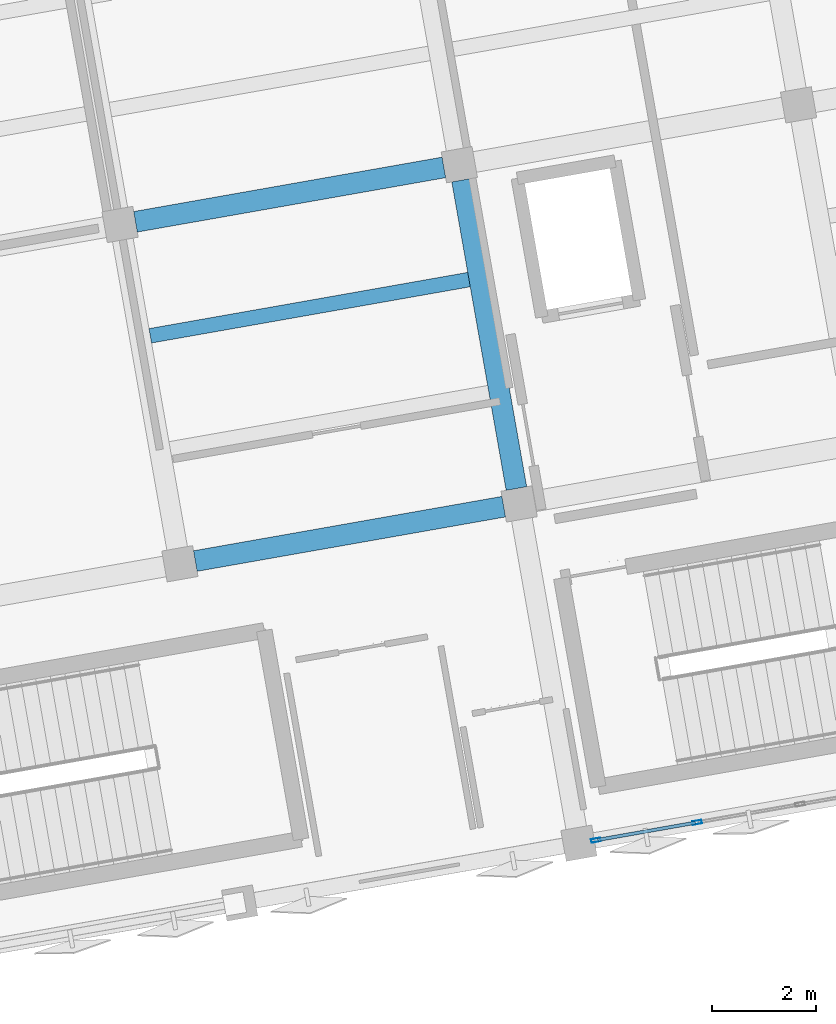
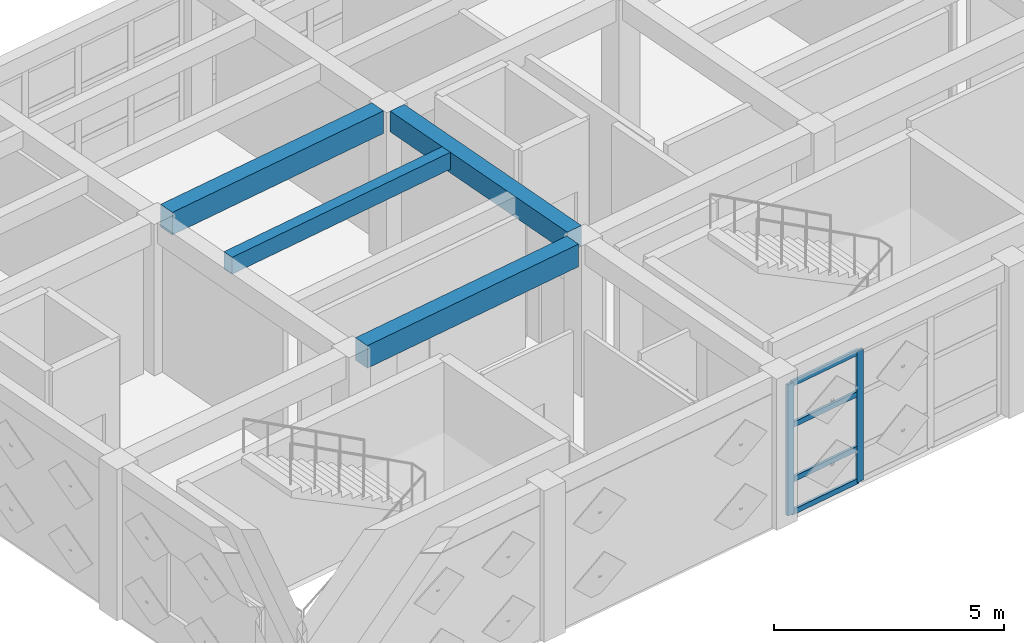
# One storey, part 3 of 18: 6 members, 4 beams, 1 element without a shape of its own.
"""IFC4 building model written with IfcOpenShell, lengths in metres."""

import ifcopenshell
import ifcopenshell.guid

model = None  # the IFC model being written
_history = None  # IfcOwnerHistory: only IFC2X3 demands one
_inside = {}  # id of a spatial element -> (the spatial element, [elements in it])
_under = {}  # id of a project, library or spatial element -> (it, [spatial elements below it])
_declared = {}  # id of a project -> (the project, [libraries it declares])
_typed = {}  # id of a type object -> (the type object, [elements of that type])
_made_of = {}  # id of a material, layer set ... -> (it, [elements and type objects made of it])


def new_model(schema):
    """Start an empty IFC model of exactly this schema.

    Asked for "IFC4X3", IfcOpenShell would pick the latest addendum, in which some entities
    have other attributes; the version numbers below select the first issue.
    IFC2X3 requires an IfcOwnerHistory on every rooted entity: one is made here for all.
    """
    global model, _history
    if schema == "IFC4X3":
        model = ifcopenshell.file(schema_version=(4, 3, 0, 0))
    else:
        model = ifcopenshell.file(schema=schema)
    _inside.clear()
    _under.clear()
    _declared.clear()
    _typed.clear()
    _made_of.clear()
    _history = None
    if model.schema == "IFC2X3":
        org = make("IfcOrganization", Name="unknown")
        user = make(
            "IfcPersonAndOrganization",
            ThePerson=make("IfcPerson", FamilyName="unknown"),
            TheOrganization=org,
        )
        app = make(
            "IfcApplication",
            ApplicationDeveloper=org,
            Version="unknown",
            ApplicationFullName="unknown",
            ApplicationIdentifier="unknown",
        )
        _history = make(
            "IfcOwnerHistory",
            OwningUser=user,
            OwningApplication=app,
            ChangeAction="ADDED",
            CreationDate=0,
        )
    return model


def make(cls, **values):
    """One entity of the class cls with the attributes given. An attribute that is None is left unset."""
    return model.create_entity(
        cls, **{name: value for name, value in values.items() if value is not None}
    )


def rooted(cls, **values):
    """An entity with a GlobalId (a new one), such as an element, a storey or a relation."""
    return make(cls, GlobalId=ifcopenshell.guid.new(), OwnerHistory=_history, **values)


def si_unit(unit_type, name, prefix=None):
    """IfcSIUnit, for example si_unit("LENGTHUNIT", "METRE", prefix="MILLI")."""
    return make("IfcSIUnit", UnitType=unit_type, Prefix=prefix, Name=name)


def assignment(units):
    """IfcUnitAssignment: the units of a project."""
    return None if units is None else make("IfcUnitAssignment", Units=units)


def point(xyz):
    """IfcCartesianPoint."""
    return None if xyz is None else make("IfcCartesianPoint", Coordinates=xyz)


def direction(xyz):
    """IfcDirection."""
    return None if xyz is None else make("IfcDirection", DirectionRatios=xyz)


def frame(location, z_axis=None, x_axis=None):
    """IfcAxis2Placement3D, a coordinate frame: its origin and axes. An axis left out is left unset."""
    return make(
        "IfcAxis2Placement3D",
        Location=point(location),
        Axis=direction(z_axis),
        RefDirection=direction(x_axis),
    )


def frame_2d(location, x_axis=None):
    """IfcAxis2Placement2D, a coordinate frame in the plane: its origin and x axis."""
    return make(
        "IfcAxis2Placement2D", Location=point(location), RefDirection=direction(x_axis)
    )


def origin():
    """The frame at (0, 0, 0) with its axes left unset."""
    return frame((0.0, 0.0, 0.0))


def origin_2d():
    """The frame at (0, 0) in the plane with its x axis left unset."""
    return frame_2d((0.0, 0.0))


def place(relative_to, where):
    """IfcLocalPlacement: puts the frame where relative to a parent placement (None: the world)."""
    return make(
        "IfcLocalPlacement", PlacementRelTo=relative_to, RelativePlacement=where
    )


def context(
    kind, dimensions, precision=None, world=None, true_north=None, identifier=None
):
    """IfcGeometricRepresentationContext, for example the 3D "Model" context."""
    return make(
        "IfcGeometricRepresentationContext",
        ContextIdentifier=identifier,
        ContextType=kind,
        CoordinateSpaceDimension=dimensions,
        Precision=precision,
        WorldCoordinateSystem=world,
        TrueNorth=true_north,
    )


def subcontext(parent, identifier, kind, view, scale=None):
    """IfcGeometricRepresentationSubContext, for example "Body" below "Model"."""
    return make(
        "IfcGeometricRepresentationSubContext",
        ContextIdentifier=identifier,
        ContextType=kind,
        ParentContext=parent,
        TargetScale=scale,
        TargetView=view,
    )


def project(units=None, contexts=None):
    """IfcProject with its units and contexts."""
    return rooted(
        "IfcProject",
        Name="project",
        RepresentationContexts=contexts,
        UnitsInContext=assignment(units),
    )


def spatial(cls, under=None, at=None, **own):
    """A site, building, storey or space (cls), placed at a placement, below another one or the project."""
    s = rooted(cls, ObjectPlacement=at, **own)
    if under is not None:
        _under.setdefault(under.id(), (under, []))[1].append(s)
    return s


def profile(cls, at=None, kind="AREA", **sizes):
    """A parametric profile (cls). Its sizes go by their IFC names, for example OverallWidth=200.0."""
    return make(cls, ProfileType=kind, Position=at, **sizes)


def rectangle(**sizes):
    """IfcRectangleProfileDef."""
    return profile("IfcRectangleProfileDef", **sizes)


def hollow_rectangle(**sizes):
    """IfcRectangleHollowProfileDef."""
    return profile("IfcRectangleHollowProfileDef", **sizes)


def extrude(swept, where, along, depth):
    """IfcExtrudedAreaSolid: the profile swept, set in the frame where, extruded along a direction by depth."""
    return make(
        "IfcExtrudedAreaSolid",
        SweptArea=swept,
        Position=where,
        ExtrudedDirection=direction(along),
        Depth=depth,
    )


def shape(context_of_items, identifier, shape_type, items):
    """IfcShapeRepresentation: the items that make up one representation, for example the "Body"."""
    return make(
        "IfcShapeRepresentation",
        ContextOfItems=context_of_items,
        RepresentationIdentifier=identifier,
        RepresentationType=shape_type,
        Items=items,
    )


def material(Name=None, Category=None):
    """IfcMaterial."""
    return make("IfcMaterial", Name=Name, Category=Category)


def layer(
    of_material, thickness, ventilated=None, Name=None, Category=None, Priority=None
):
    """IfcMaterialLayer: one layer of a wall or slab, of a material (None: an air gap)."""
    return make(
        "IfcMaterialLayer",
        Material=of_material,
        LayerThickness=thickness,
        IsVentilated=ventilated,
        Name=Name,
        Category=Category,
        Priority=Priority,
    )


def layer_set(layers, Name=None):
    """IfcMaterialLayerSet."""
    return make("IfcMaterialLayerSet", MaterialLayers=layers, LayerSetName=Name)


def material_profile(
    of_material, cross_section, Name=None, Category=None, Priority=None
):
    """IfcMaterialProfile: a cross section and its material."""
    return make(
        "IfcMaterialProfile",
        Name=Name,
        Material=of_material,
        Profile=cross_section,
        Priority=Priority,
        Category=Category,
    )


def profile_set(profiles, Name=None, composite=None):
    """IfcMaterialProfileSet."""
    return make(
        "IfcMaterialProfileSet",
        Name=Name,
        MaterialProfiles=profiles,
        CompositeProfile=composite,
    )


def made_of(thing, what):
    """Note that an element or type object is made of a material, layer set ...; save() writes the relation."""
    if what is not None:
        _made_of.setdefault(what.id(), (what, []))[1].append(thing)
    return thing


def type_object(cls, material=None, **own):
    """A type object (cls), such as IfcWallType, which elements share."""
    return made_of(rooted(cls, **own), material)


def element(
    cls,
    number,
    at=None,
    inside=None,
    cuts=None,
    type_object=None,
    material=None,
    context=None,
    identifier="Body",
    shape_type=None,
    held_by="IfcProductDefinitionShape",
    body=None,
    shapes=None,
    **own,
):
    """One element of the class cls, such as IfcWall. Its Tag is "e" and its number.

    at: its placement. inside: the storey or other place that contains it. cuts: it is an
    opening in that element (IfcRelVoidsElement). A single representation is given by context,
    identifier, shape_type and body (its items); several are given by shapes. held_by: the class
    of the entity that holds the representations. save() writes the other relations.
    """
    e = rooted(cls, Tag="e%d" % number, ObjectPlacement=at, **own)
    if body is not None:
        shapes = [shape(context, identifier, shape_type, body)]
    if shapes is not None:
        e.Representation = make(held_by, Representations=shapes)
    if inside is not None:
        _inside.setdefault(inside.id(), (inside, []))[1].append(e)
    if cuts is not None:
        rooted(
            "IfcRelVoidsElement", RelatingBuildingElement=cuts, RelatedOpeningElement=e
        )
    if type_object is not None:
        _typed.setdefault(type_object.id(), (type_object, []))[1].append(e)
    return made_of(e, material)


def aggregate(whole, parts):
    """IfcRelAggregates: a whole, such as a stair, and the parts it consists of."""
    return rooted("IfcRelAggregates", RelatingObject=whole, RelatedObjects=parts)


def save(model, path):
    """Write the relations noted so far, then the file.

    IfcRelAggregates (storeys below a building ...), IfcRelContainedInSpatialStructure (elements
    in a storey), IfcRelDefinesByType, IfcRelAssociatesMaterial and IfcRelDeclares: one each for
    every whole, place, type object, material and project.
    """
    for whole, parts in _under.values():
        aggregate(whole, parts)
    for where, things in _inside.values():
        rooted(
            "IfcRelContainedInSpatialStructure",
            RelatedElements=things,
            RelatingStructure=where,
        )
    for kind, things in _typed.values():
        rooted("IfcRelDefinesByType", RelatedObjects=things, RelatingType=kind)
    for what, things in _made_of.values():
        rooted("IfcRelAssociatesMaterial", RelatedObjects=things, RelatingMaterial=what)
    for by, libraries in _declared.values():
        rooted("IfcRelDeclares", RelatingContext=by, RelatedDefinitions=libraries)
    model.write(path)


model = new_model("IFC4")

# Units and contexts
model_context = context("Model", 3, precision=1e-05, world=origin(), true_north=direction((0.0, 1.0)))
body_context = subcontext(model_context, "Body", "Model", "MODEL_VIEW")
ifc_project = project(units=[si_unit("LENGTHUNIT", "METRE"), si_unit("AREAUNIT", "SQUARE_METRE"), si_unit("VOLUMEUNIT", "CUBIC_METRE"), si_unit("PLANEANGLEUNIT", "RADIAN"), si_unit("MASSUNIT", "GRAM", prefix="KILO")], contexts=[model_context])

# Site, building, storey
site_placement = place(None, origin())
site = spatial("IfcSite", under=ifc_project, at=site_placement, CompositionType="ELEMENT")
building_placement = place(site_placement, origin())
building = spatial("IfcBuilding", under=site, at=building_placement, Name="Kharisveld Research Institute", CompositionType="ELEMENT")
storey_placement = place(building_placement, frame((0.0, 0.0, 36.60009765625)))
storey = spatial("IfcBuildingStorey", under=building, at=storey_placement, Name="L08", CompositionType="ELEMENT", Elevation=36.60009765625)

# Beams
ifc_material_1 = material(Name="Concrete C40/50", Category="concrete")
ifc_material_profile_1 = material_profile(ifc_material_1, rectangle(XDim=0.39990234375, YDim=0.550048828125, at=origin_2d()))
ifc_profile_set_1 = profile_set([ifc_material_profile_1], Name="Concrete C40/50")
beam_type_1 = type_object("IfcBeamType", Name="BM_RC_400x550", PredefinedType="BEAM", material=ifc_profile_set_1)
beam_1_placement = place(storey_placement, frame((17.001220703125, 44.097412109375, 3.744873046875), z_axis=(-0.173629803561, 0.984810992686, 0.0), x_axis=(-0.984810992686, -0.173629803561, 0.0)))
element("IfcBeam", 1, at=beam_1_placement, inside=storey, type_object=beam_type_1, Name="BM:V1:L08:V2_1", PredefinedType="BEAM", context=body_context, shape_type="SweptSolid", body=[
    extrude(rectangle(XDim=0.39990234375, YDim=0.550048828125, at=origin_2d()), origin(), (0.0, 0.0, 1.0), 5.999755859375),
])
ifc_material_2 = material(Name="Concrete C40/50", Category="concrete")
ifc_material_profile_2 = material_profile(ifc_material_2, rectangle(XDim=0.39990234375, YDim=0.60009765625, at=origin_2d()))
ifc_profile_set_2 = profile_set([ifc_material_profile_2], Name="Concrete C40/50")
beam_type_2 = type_object("IfcBeamType", Name="BM_RC_400x600", PredefinedType="BEAM", material=ifc_profile_set_2)
beam_2_placement = place(storey_placement, frame((10.84912109375, 42.7080078125, 3.719970703125), z_axis=(0.984812219346, 0.173622845926, 0.0), x_axis=(-0.173622845926, 0.984812219346, 0.0)))
element("IfcBeam", 2, at=beam_2_placement, inside=storey, type_object=beam_type_2, Name="BM:V1:L08:U1_1", PredefinedType="BEAM", context=body_context, shape_type="SweptSolid", body=[
    extrude(rectangle(XDim=0.39990234375, YDim=0.60009765625, at=origin_2d()), origin(), (0.0, 0.0, 1.0), 6.0),
])
beam_3_placement = place(storey_placement, frame((9.703125, 49.20751953125, 3.719970703125), z_axis=(0.984804034035, 0.173669267716, 0.0), x_axis=(-0.173669267716, 0.984804034035, 0.0)))
element("IfcBeam", 3, at=beam_3_placement, inside=storey, type_object=beam_type_2, Name="BM:V1:L08:U1_2", PredefinedType="BEAM", context=body_context, shape_type="SweptSolid", body=[
    extrude(rectangle(XDim=0.39990234375, YDim=0.60009765625, at=origin_2d()), origin(), (0.0, 0.0, 1.0), 5.999755859375),
])

# Curtain wall, members
ifc_material_3 = material(Name="Thermally Broken Aluminium Curtain Wall", Category="aluminium")
ifc_layer = layer(ifc_material_3, 0.159912109375)
ifc_layer_set = layer_set([ifc_layer], Name="CW_SYS_05")
curtain_wall_type = type_object("IfcCurtainWallType", Name="CW_SYS_05", PredefinedType="NOTDEFINED", material=ifc_layer_set)
curtain_wall_placement = place(storey_placement, origin())
curtain_wall = element("IfcCurtainWall", 4, at=curtain_wall_placement, inside=storey, type_object=curtain_wall_type, Name="CW:V1:L08:S3", PredefinedType="NOTDEFINED")
ifc_material_4 = material(Name="Anodised Aluminium AW-6063-T6", Category="aluminium")
ifc_material_profile_3 = material_profile(ifc_material_4, hollow_rectangle(XDim=0.070068359375, YDim=0.179931640625, WallThickness=0.00439453125, at=origin_2d()))
ifc_profile_set_3 = profile_set([ifc_material_profile_3], Name="Anodised Aluminium AW-6063-T6")
member_type_1 = type_object("IfcMemberType", Name="CW_MUL_180", PredefinedType="MULLION", material=ifc_profile_set_3)
member_1_placement = place(storey_placement, frame((20.462890625, 37.701171875, 0.0), z_axis=(0.0, 0.0, 1.0), x_axis=(0.173648210685, -0.98480774719, 0.0)))
member_1 = element("IfcMember", 5, at=member_1_placement, type_object=member_type_1, Name="CW-05 mullion 3", PredefinedType="MULLION", context=body_context, shape_type="SweptSolid", body=[
    extrude(hollow_rectangle(XDim=0.070068359375, YDim=0.179931640625, WallThickness=0.00439453125, at=origin_2d()), origin(), (0.0, 0.0, 1.0), 3.47998046875),
])
member_2_placement = place(storey_placement, frame((18.5244140625, 37.359375, 0.0), z_axis=(0.0, 0.0, 1.0), x_axis=(0.173648210685, -0.98480774719, 0.0)))
member_2 = element("IfcMember", 6, at=member_2_placement, type_object=member_type_1, Name="CW-05 mullion 4", PredefinedType="MULLION", context=body_context, shape_type="SweptSolid", body=[
    extrude(hollow_rectangle(XDim=0.070068359375, YDim=0.179931640625, WallThickness=0.00439453125, at=origin_2d()), origin(), (0.0, 0.0, 1.0), 3.47998046875),
])
ifc_material_5 = material(Name="Anodised Aluminium AW-6063-T6", Category="aluminium")
ifc_material_profile_4 = material_profile(ifc_material_5, hollow_rectangle(XDim=0.06494140625, YDim=0.139892578125, WallThickness=0.00390625, at=origin_2d()))
ifc_profile_set_4 = profile_set([ifc_material_profile_4], Name="Anodised Aluminium AW-6063-T6")
member_type_2 = type_object("IfcMemberType", Name="CW_TRN_140", PredefinedType="USERDEFINED", material=ifc_profile_set_4)
member_3_placement = place(storey_placement, frame((20.428466796875, 37.695068359375, 0.032470703125), z_axis=(-0.984814614087, -0.173609262081, 0.0), x_axis=(0.173609262081, -0.984814614087, 0.0)))
member_3 = element("IfcMember", 7, at=member_3_placement, type_object=member_type_2, Name="CW-05 transom 3.1", ObjectType="TRANSOM", PredefinedType="USERDEFINED", context=body_context, shape_type="SweptSolid", body=[
    extrude(hollow_rectangle(XDim=0.06494140625, YDim=0.139892578125, WallThickness=0.00390625, at=origin_2d()), origin(), (0.0, 0.0, 1.0), 1.8984375),
])
member_4_placement = place(storey_placement, frame((20.428466796875, 37.695068359375, 0.89990234375), z_axis=(-0.984814614087, -0.173609262081, 0.0), x_axis=(0.173609262081, -0.984814614087, 0.0)))
member_4 = element("IfcMember", 8, at=member_4_placement, type_object=member_type_2, Name="CW-05 transom 3.2", ObjectType="TRANSOM", PredefinedType="USERDEFINED", context=body_context, shape_type="SweptSolid", body=[
    extrude(hollow_rectangle(XDim=0.06494140625, YDim=0.139892578125, WallThickness=0.00390625, at=origin_2d()), origin(), (0.0, 0.0, 1.0), 1.8984375),
])
member_5_placement = place(storey_placement, frame((20.428466796875, 37.695068359375, 2.349853515625), z_axis=(-0.984814614087, -0.173609262081, 0.0), x_axis=(0.173609262081, -0.984814614087, 0.0)))
member_5 = element("IfcMember", 9, at=member_5_placement, type_object=member_type_2, Name="CW-05 transom 3.3", ObjectType="TRANSOM", PredefinedType="USERDEFINED", context=body_context, shape_type="SweptSolid", body=[
    extrude(hollow_rectangle(XDim=0.06494140625, YDim=0.139892578125, WallThickness=0.00390625, at=origin_2d()), origin(), (0.0, 0.0, 1.0), 1.8984375),
])
member_6_placement = place(storey_placement, frame((20.428466796875, 37.695068359375, 3.447509765625), z_axis=(-0.984814614087, -0.173609262081, 0.0), x_axis=(0.173609262081, -0.984814614087, 0.0)))
member_6 = element("IfcMember", 10, at=member_6_placement, type_object=member_type_2, Name="CW-05 transom 3.4", ObjectType="TRANSOM", PredefinedType="USERDEFINED", context=body_context, shape_type="SweptSolid", body=[
    extrude(hollow_rectangle(XDim=0.06494140625, YDim=0.139892578125, WallThickness=0.00390625, at=origin_2d()), origin(), (0.0, 0.0, 1.0), 1.8984375),
])
aggregate(curtain_wall, [member_1, member_2, member_3, member_4, member_5, member_6])

# Beam
ifc_material_6 = material(Name="Concrete C40/50", Category="concrete")
ifc_material_profile_5 = material_profile(ifc_material_6, rectangle(XDim=0.280029296875, YDim=0.449951171875, at=origin_2d()))
ifc_profile_set_5 = profile_set([ifc_material_profile_5], Name="Concrete C40/50")
beam_type_3 = type_object("IfcBeamType", Name="WB_RC_280x450", PredefinedType="JOIST", material=ifc_profile_set_5)
beam_4_placement = place(storey_placement, frame((9.986572265625, 47.023681640625, 3.794921875), z_axis=(0.984806146634, 0.173657287643, 0.0), x_axis=(-0.173657287643, 0.984806146634, 0.0)))
element("IfcBeam", 11, at=beam_4_placement, inside=storey, type_object=beam_type_3, Name="BM:V1:L08:J_1_1_R2", PredefinedType="JOIST", context=body_context, shape_type="SweptSolid", body=[
    extrude(rectangle(XDim=0.280029296875, YDim=0.449951171875, at=origin_2d()), origin(), (0.0, 0.0, 1.0), 6.199951171875),
])

save(model, "model.ifc")
